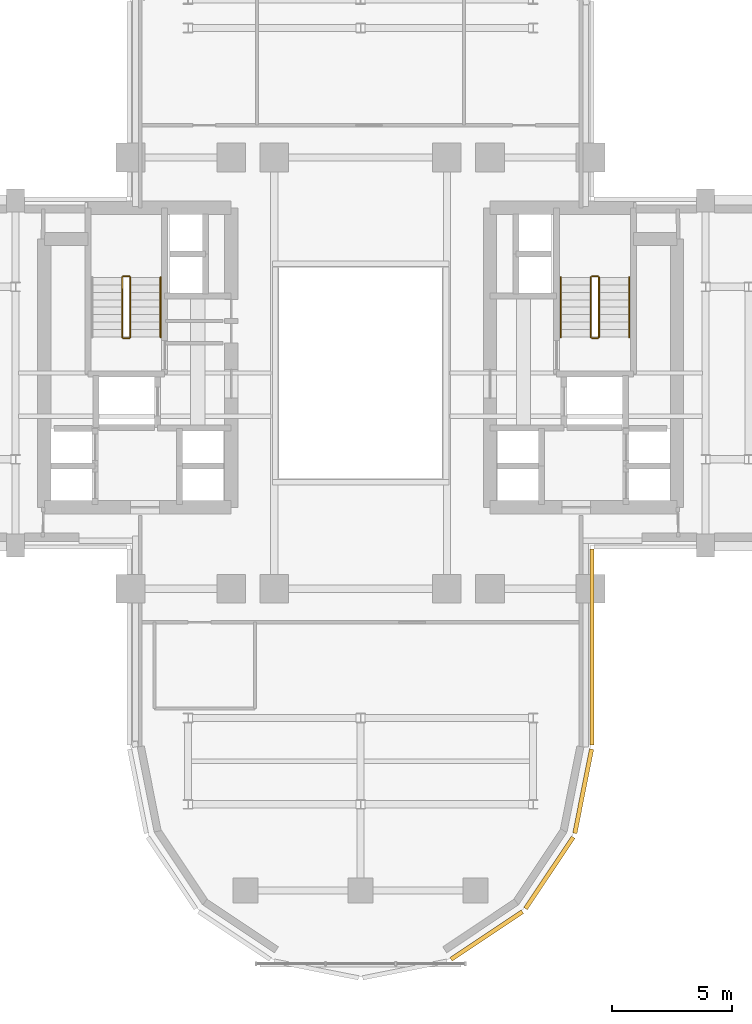
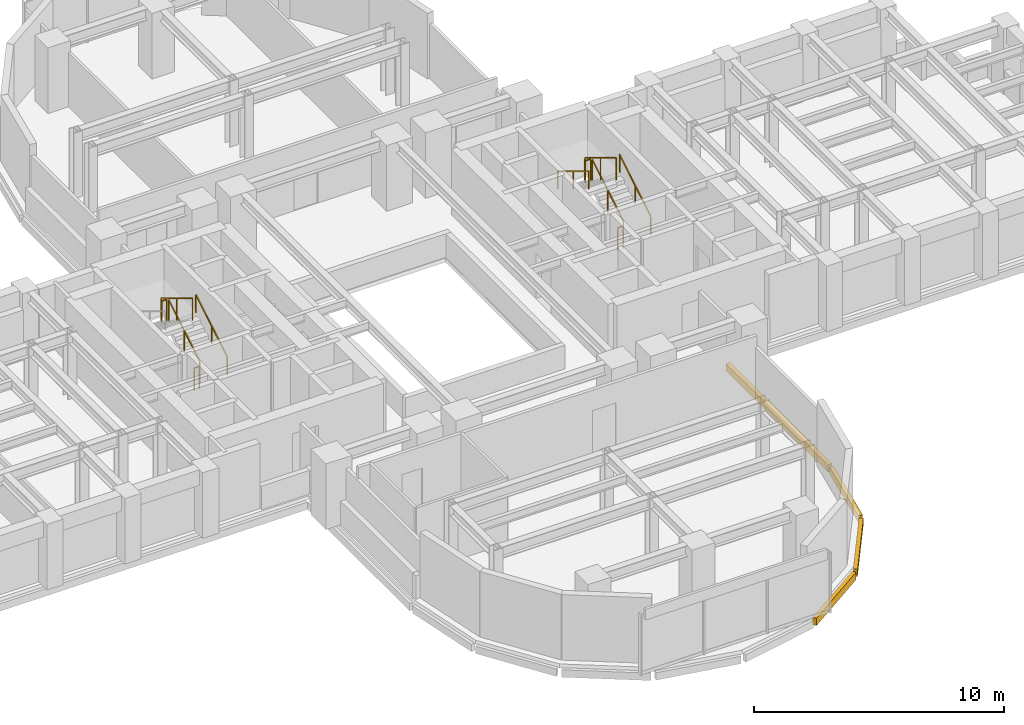
# One storey, part 13 of 14: 11 railings, 4 coverings.
"""IFC4 building model written with IfcOpenShell, lengths in metres."""

from ifc_helpers import new_model, si_unit, direction, frame, origin, origin_2d, place, context, subcontext, project, spatial, rectangle, extrude, source, transform, mapped, material, layer, layer_set, type_object, element, save


model = new_model("IFC4")

# Units and contexts
model_context = context("Model", 3, precision=1e-05, world=origin(), true_north=direction((0.0, 1.0)))
body_context = subcontext(model_context, "Body", "Model", "MODEL_VIEW")
ifc_project = project(units=[si_unit("LENGTHUNIT", "METRE"), si_unit("AREAUNIT", "SQUARE_METRE"), si_unit("VOLUMEUNIT", "CUBIC_METRE"), si_unit("PLANEANGLEUNIT", "RADIAN"), si_unit("MASSUNIT", "GRAM", prefix="KILO")], contexts=[model_context])

# Site, building, storey
site_placement = place(None, origin())
site = spatial("IfcSite", under=ifc_project, at=site_placement, CompositionType="ELEMENT")
building_placement = place(site_placement, origin())
building = spatial("IfcBuilding", under=site, at=building_placement, Name="Keilestroom Media Tower", CompositionType="ELEMENT")
storey_placement = place(building_placement, frame((0.0, 0.0, 44.199951171875)))
storey = spatial("IfcBuildingStorey", under=building, at=storey_placement, Name="L10", CompositionType="ELEMENT", Elevation=44.199951171875)

# Railings
ifc_material_1 = material(Name="Brushed Stainless Steel 1.4301", Category="steel")
railing_type_1 = type_object("IfcRailingType", Name="Stair-Pitch-Handrail-920", PredefinedType="HANDRAIL", material=ifc_material_1)
for number, where, name in (
    (1, (-8.35009765625, 1.5, 0.18896484375), "L10 ST-1 stair handrail 1"),
    (2, (11.2099609375, 1.5, 0.18896484375), "L10 ST-2 stair handrail 1"),
):
    element("IfcRailing", number, at=place(storey_placement, frame(where)), inside=storey, type_object=railing_type_1, Name=name, PredefinedType="HANDRAIL", context=body_context, shape_type="SweptSolid", body=[
        extrude(rectangle(XDim=0.048095703125, YDim=0.048095703125, at=origin_2d()), frame((0.0, 0.0, 0.8759765625), z_axis=(0.0, 0.855470815493, 0.517851024754), x_axis=(-1.0, 0.0, 0.0)), (0.0, 0.0, 1.0), 2.917724609375),
        extrude(rectangle(XDim=0.0419921875, YDim=0.0419921875, at=origin_2d()), origin(), (0.0, 0.0, 1.0), 0.84375),
        extrude(rectangle(XDim=0.0419921875, YDim=0.0419921875, at=origin_2d()), frame((0.0, 1.248046875, 0.75537109375)), (0.0, 0.0, 1.0), 0.84375),
        extrude(rectangle(XDim=0.0419921875, YDim=0.0419921875, at=origin_2d()), frame((0.0, 2.49609375, 1.510986328125)), (0.0, 0.0, 1.0), 0.84375),
    ])
railing_1_placement = place(storey_placement, frame((8.35009765625, 3.99609375, 1.888916015625)))
element("IfcRailing", 3, at=railing_1_placement, inside=storey, type_object=railing_type_1, Name="L10 ST-2 stair handrail 2", PredefinedType="HANDRAIL", context=body_context, shape_type="SweptSolid", body=[
    extrude(rectangle(XDim=0.048095703125, YDim=0.048095703125, at=origin_2d()), frame((0.0, 0.0, 0.8759765625), z_axis=(0.0, -0.855433747314, 0.517912255074), x_axis=(1.0, 0.0, 0.0)), (0.0, 0.0, 1.0), 2.91796875),
    extrude(rectangle(XDim=0.0419921875, YDim=0.0419921875, at=origin_2d()), origin(), (0.0, 0.0, 1.0), 0.84375),
    extrude(rectangle(XDim=0.0419921875, YDim=0.0419921875, at=origin_2d()), frame((0.0, -1.248046875, 0.755615234375)), (0.0, 0.0, 1.0), 0.84375),
    extrude(rectangle(XDim=0.0419921875, YDim=0.0419921875, at=origin_2d()), frame((0.0, -2.49609375, 1.51123046875)), (0.0, 0.0, 1.0), 0.84375),
])
ifc_material_2 = material(Name="Painted Steel Balustrade", Category="steel")
railing_type_2 = type_object("IfcRailingType", Name="Stair-Well-And-Landing-Guard-1100", PredefinedType="GUARDRAIL", material=ifc_material_2)
railing_2_placement = place(storey_placement, frame((-9.610107421875, 1.5, 0.18896484375)))
element("IfcRailing", 4, at=railing_2_placement, inside=storey, type_object=railing_type_2, Name="L10 ST-1 stair guard 1", PredefinedType="GUARDRAIL", context=body_context, shape_type="SweptSolid", body=[
    extrude(rectangle(XDim=0.048095703125, YDim=0.048095703125, at=origin_2d()), frame((0.0, 0.0, 1.076171875), z_axis=(0.0, 0.855470815493, 0.517851024754), x_axis=(-1.0, 0.0, 0.0)), (0.0, 0.0, 1.0), 2.917724609375),
    extrude(rectangle(XDim=0.0419921875, YDim=0.0419921875, at=origin_2d()), origin(), (0.0, 0.0, 1.0), 1.0439453125),
    extrude(rectangle(XDim=0.0419921875, YDim=0.0419921875, at=origin_2d()), frame((0.0, 1.248046875, 0.75537109375)), (0.0, 0.0, 1.0), 1.0439453125),
    extrude(rectangle(XDim=0.0419921875, YDim=0.0419921875, at=origin_2d()), frame((0.0, 2.49609375, 1.510986328125)), (0.0, 0.0, 1.0), 1.0439453125),
])
railing_3_placement = place(storey_placement, frame((-9.659912109375, 4.0458984375, 1.699951171875)))
element("IfcRailing", 5, at=railing_3_placement, inside=storey, type_object=railing_type_2, Name="L10 ST-1 stair guard 2", PredefinedType="GUARDRAIL", context=body_context, shape_type="SweptSolid", body=[
    extrude(rectangle(XDim=0.048095703125, YDim=0.048095703125, at=origin_2d()), frame((0.0, 0.0, 1.076171875), z_axis=(-1.0, 0.0, 0.0), x_axis=(0.0, -1.0, 0.0)), (0.0, 0.0, 1.0), 0.239990234375),
    extrude(rectangle(XDim=0.0419921875, YDim=0.0419921875, at=origin_2d()), origin(), (0.0, 0.0, 1.0), 1.0439453125),
    extrude(rectangle(XDim=0.0419921875, YDim=0.0419921875, at=origin_2d()), frame((-0.239990234375, 0.0, 0.0)), (0.0, 0.0, 1.0), 1.0439453125),
])
railing_4_placement = place(storey_placement, frame((-9.949951171875, 3.99609375, 1.888916015625)))
element("IfcRailing", 6, at=railing_4_placement, inside=storey, type_object=railing_type_2, Name="L10 ST-1 stair guard 3", PredefinedType="GUARDRAIL", context=body_context, shape_type="SweptSolid", body=[
    extrude(rectangle(XDim=0.048095703125, YDim=0.048095703125, at=origin_2d()), frame((0.0, 0.0, 1.076171875), z_axis=(0.0, -0.855433747314, 0.517912255074), x_axis=(1.0, 0.0, 0.0)), (0.0, 0.0, 1.0), 2.91796875),
    extrude(rectangle(XDim=0.0419921875, YDim=0.0419921875, at=origin_2d()), origin(), (0.0, 0.0, 1.0), 1.0439453125),
    extrude(rectangle(XDim=0.0419921875, YDim=0.0419921875, at=origin_2d()), frame((0.0, -1.248046875, 0.755615234375)), (0.0, 0.0, 1.0), 1.0439453125),
    extrude(rectangle(XDim=0.0419921875, YDim=0.0419921875, at=origin_2d()), frame((0.0, -2.49609375, 1.51123046875)), (0.0, 0.0, 1.0), 1.0439453125),
])
railing_5_placement = place(storey_placement, frame((-9.659912109375, 1.449951171875, 0.0)))
element("IfcRailing", 7, at=railing_5_placement, inside=storey, type_object=railing_type_2, Name="L10 ST-1 stair guard 4", PredefinedType="GUARDRAIL", context=body_context, shape_type="SweptSolid", body=[
    extrude(rectangle(XDim=0.048095703125, YDim=0.048095703125, at=origin_2d()), frame((0.0, 0.0, 1.076171875), z_axis=(-1.0, 0.0, 0.0), x_axis=(0.0, -1.0, 0.0)), (0.0, 0.0, 1.0), 0.239990234375),
    extrude(rectangle(XDim=0.0419921875, YDim=0.0419921875, at=origin_2d()), origin(), (0.0, 0.0, 1.0), 1.0439453125),
    extrude(rectangle(XDim=0.0419921875, YDim=0.0419921875, at=origin_2d()), frame((-0.239990234375, 0.0, 0.0)), (0.0, 0.0, 1.0), 1.0439453125),
])
railing_6_placement = place(storey_placement, frame((9.949951171875, 1.5, 0.18896484375)))
element("IfcRailing", 8, at=railing_6_placement, inside=storey, type_object=railing_type_2, Name="L10 ST-2 stair guard 1", PredefinedType="GUARDRAIL", context=body_context, shape_type="SweptSolid", body=[
    extrude(rectangle(XDim=0.048095703125, YDim=0.048095703125, at=origin_2d()), frame((0.0, 0.0, 1.076171875), z_axis=(0.0, 0.855470815493, 0.517851024754), x_axis=(-1.0, 0.0, 0.0)), (0.0, 0.0, 1.0), 2.917724609375),
    extrude(rectangle(XDim=0.0419921875, YDim=0.0419921875, at=origin_2d()), origin(), (0.0, 0.0, 1.0), 1.0439453125),
    extrude(rectangle(XDim=0.0419921875, YDim=0.0419921875, at=origin_2d()), frame((0.0, 1.248046875, 0.75537109375)), (0.0, 0.0, 1.0), 1.0439453125),
    extrude(rectangle(XDim=0.0419921875, YDim=0.0419921875, at=origin_2d()), frame((0.0, 2.49609375, 1.510986328125)), (0.0, 0.0, 1.0), 1.0439453125),
])
railing_7_placement = place(storey_placement, frame((9.89990234375, 4.0458984375, 1.699951171875)))
element("IfcRailing", 9, at=railing_7_placement, inside=storey, type_object=railing_type_2, Name="L10 ST-2 stair guard 2", PredefinedType="GUARDRAIL", context=body_context, shape_type="SweptSolid", body=[
    extrude(rectangle(XDim=0.048095703125, YDim=0.048095703125, at=origin_2d()), frame((0.0, 0.0, 1.076171875), z_axis=(-1.0, 0.0, 0.0), x_axis=(0.0, -1.0, 0.0)), (0.0, 0.0, 1.0), 0.239990234375),
    extrude(rectangle(XDim=0.0419921875, YDim=0.0419921875, at=origin_2d()), origin(), (0.0, 0.0, 1.0), 1.0439453125),
    extrude(rectangle(XDim=0.0419921875, YDim=0.0419921875, at=origin_2d()), frame((-0.239990234375, 0.0, 0.0)), (0.0, 0.0, 1.0), 1.0439453125),
])
railing_8_placement = place(storey_placement, frame((9.610107421875, 3.99609375, 1.888916015625)))
element("IfcRailing", 10, at=railing_8_placement, inside=storey, type_object=railing_type_2, Name="L10 ST-2 stair guard 3", PredefinedType="GUARDRAIL", context=body_context, shape_type="SweptSolid", body=[
    extrude(rectangle(XDim=0.048095703125, YDim=0.048095703125, at=origin_2d()), frame((0.0, 0.0, 1.076171875), z_axis=(0.0, -0.855433747314, 0.517912255074), x_axis=(1.0, 0.0, 0.0)), (0.0, 0.0, 1.0), 2.91796875),
    extrude(rectangle(XDim=0.0419921875, YDim=0.0419921875, at=origin_2d()), origin(), (0.0, 0.0, 1.0), 1.0439453125),
    extrude(rectangle(XDim=0.0419921875, YDim=0.0419921875, at=origin_2d()), frame((0.0, -1.248046875, 0.755615234375)), (0.0, 0.0, 1.0), 1.0439453125),
    extrude(rectangle(XDim=0.0419921875, YDim=0.0419921875, at=origin_2d()), frame((0.0, -2.49609375, 1.51123046875)), (0.0, 0.0, 1.0), 1.0439453125),
])
railing_9_placement = place(storey_placement, frame((9.89990234375, 1.449951171875, 0.0)))
element("IfcRailing", 11, at=railing_9_placement, inside=storey, type_object=railing_type_2, Name="L10 ST-2 stair guard 4", PredefinedType="GUARDRAIL", context=body_context, shape_type="SweptSolid", body=[
    extrude(rectangle(XDim=0.048095703125, YDim=0.048095703125, at=origin_2d()), frame((0.0, 0.0, 1.076171875), z_axis=(-1.0, 0.0, 0.0), x_axis=(0.0, -1.0, 0.0)), (0.0, 0.0, 1.0), 0.239990234375),
    extrude(rectangle(XDim=0.0419921875, YDim=0.0419921875, at=origin_2d()), origin(), (0.0, 0.0, 1.0), 1.0439453125),
    extrude(rectangle(XDim=0.0419921875, YDim=0.0419921875, at=origin_2d()), frame((-0.239990234375, 0.0, 0.0)), (0.0, 0.0, 1.0), 1.0439453125),
])

# Coverings
ifc_material_3 = material(Name="Precast concrete C40/50", Category="concrete")
ifc_layer = layer(ifc_material_3, 0.1201171875)
ifc_layer_set = layer_set([ifc_layer], Name="Precast concrete C40/50")
covering_type = type_object("IfcCoveringType", Name="Exterior-Precast-Spandrel-Cladding-Panel-120", PredefinedType="CLADDING", material=ifc_layer_set)
shared_shape_1 = source(origin(), body_context, "Body", "SweptSolid", [
    extrude(rectangle(XDim=8.166015625, YDim=0.179931640625, at=origin_2d()), origin(), (0.0, 0.0, 1.0), 0.360107421875),
])
covering_1_placement = place(storey_placement, frame((9.659912109375, -11.43310546875, -0.5400390625), z_axis=(0.0, 0.0, 1.0), x_axis=(0.0, -1.0, 0.0)))
element("IfcCovering", 12, at=covering_1_placement, inside=storey, type_object=covering_type, Name="L10 Precast Slab-Edge Fascia Cornice 06", PredefinedType="CLADDING", context=body_context, shape_type="MappedRepresentation", body=[
    mapped(shared_shape_1, transform((0.0, 0.0, 0.0), x_axis=(1.0, 0.0, 0.0), y_axis=(0.0, 1.0, 0.0), z_axis=(0.0, 0.0, 1.0), scale=1.0)),
])
shared_shape_2 = source(origin(), body_context, "Body", "SweptSolid", [
    extrude(rectangle(XDim=3.58349609375, YDim=0.179931640625, at=origin_2d()), origin(), (0.0, 0.0, 1.0), 0.360107421875),
])
covering_2_placement = place(storey_placement, frame((9.29296875, -17.45166015625, -0.5400390625), z_axis=(0.0, 0.0, 1.0), x_axis=(-0.195098880975, -0.980783577882, 0.0)))
element("IfcCovering", 13, at=covering_2_placement, inside=storey, type_object=covering_type, Name="L10 Precast Slab-Edge Fascia Cornice 07", PredefinedType="CLADDING", context=body_context, shape_type="MappedRepresentation", body=[
    mapped(shared_shape_2, transform((0.0, 0.0, 0.0), x_axis=(1.0, 0.0, 0.0), y_axis=(0.0, 1.0, 0.0), z_axis=(0.0, 0.0, 1.0), scale=1.0)),
])
shared_shape_3 = source(origin(), body_context, "Body", "SweptSolid", [
    extrude(rectangle(XDim=3.589599609375, YDim=0.179931640625, at=origin_2d()), origin(), (0.0, 0.0, 1.0), 0.360107421875),
])
for number, where, z_axis, x_axis, name in (
    (14, (7.878662109375, -20.8642578125, -0.5400390625), (0.0, 0.0, 1.0), (-0.555574586577, -0.831466703332, 0.0), "L10 Precast Slab-Edge Fascia Cornice 08"),
    (15, (5.264404296875, -23.478515625, -0.5400390625), (0.0, 0.0, 1.0), (-0.831466703332, -0.555574586577, 0.0), "L10 Precast Slab-Edge Fascia Cornice 09"),
):
    element("IfcCovering", number, at=place(storey_placement, frame(where, z_axis=z_axis, x_axis=x_axis)), inside=storey, type_object=covering_type, Name=name, PredefinedType="CLADDING", context=body_context, shape_type="MappedRepresentation", body=[
        mapped(shared_shape_3, transform((0.0, 0.0, 0.0), x_axis=(1.0, 0.0, 0.0), y_axis=(0.0, 1.0, 0.0), z_axis=(0.0, 0.0, 1.0), scale=1.0)),
    ])

save(model, "model.ifc")
